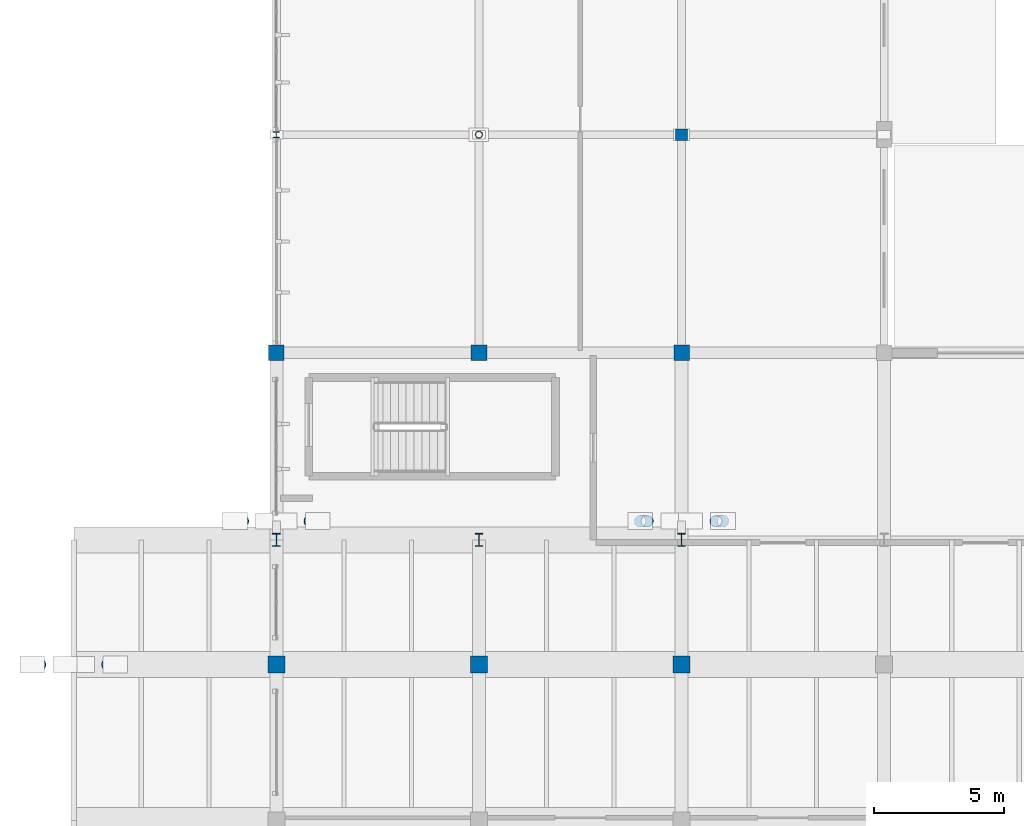
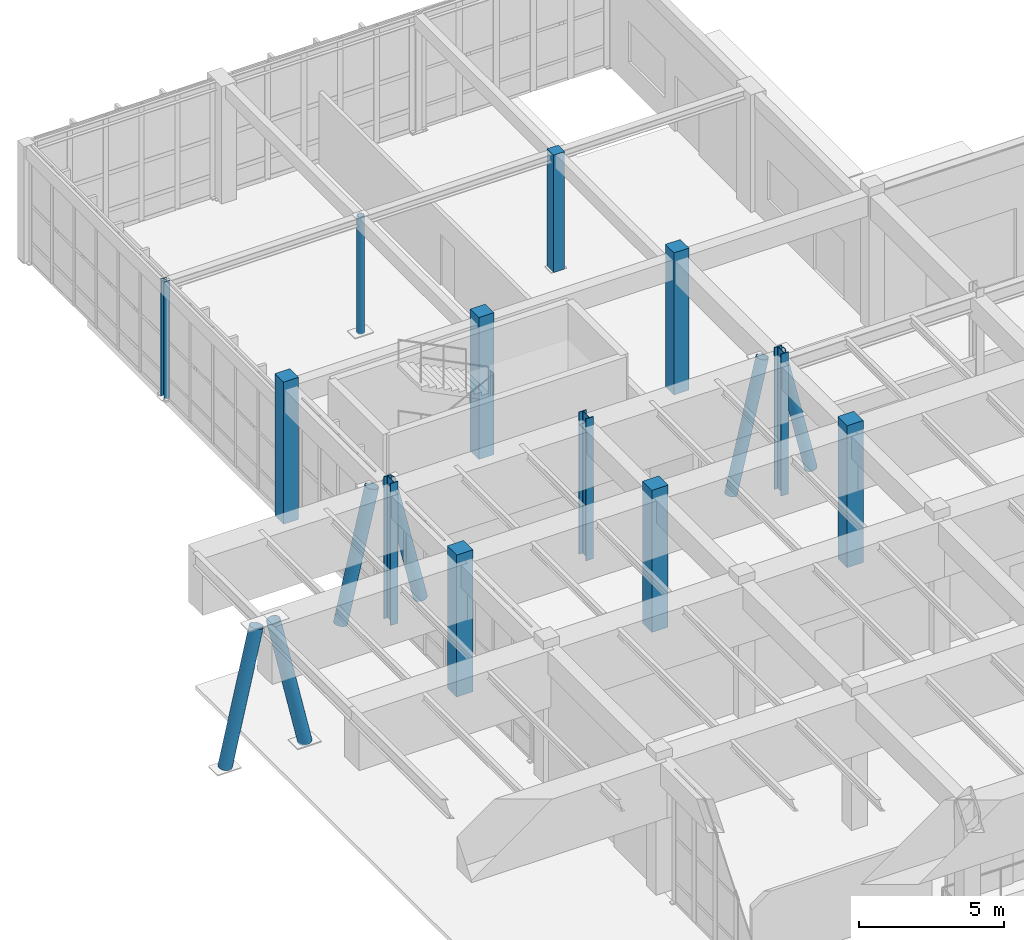
# One storey, part 8 of 110: 18 columns.
"""IFC4 building model written with IfcOpenShell, lengths in metres."""

from ifc_helpers import new_model, si_unit, direction, frame, origin, origin_2d, place, context, subcontext, project, spatial, rectangle, hollow_circle, i_section, extrude, material, material_profile, profile_set, type_object, element, save


model = new_model("IFC4")

# Units and contexts
model_context = context("Model", 3, precision=1e-05, world=origin(), true_north=direction((0.0, 1.0)))
body_context = subcontext(model_context, "Body", "Model", "MODEL_VIEW")
ifc_project = project(units=[si_unit("LENGTHUNIT", "METRE"), si_unit("AREAUNIT", "SQUARE_METRE"), si_unit("VOLUMEUNIT", "CUBIC_METRE"), si_unit("PLANEANGLEUNIT", "RADIAN"), si_unit("MASSUNIT", "GRAM", prefix="KILO")], contexts=[model_context])

# Site, building, storey
site_placement = place(None, origin())
site = spatial("IfcSite", under=ifc_project, at=site_placement, CompositionType="ELEMENT")
building_placement = place(site_placement, origin())
building = spatial("IfcBuilding", under=site, at=building_placement, Name="Tizgana Railside Sports Hall", CompositionType="ELEMENT")
storey_placement = place(building_placement, origin())
storey = spatial("IfcBuildingStorey", under=building, at=storey_placement, Name="L00", CompositionType="ELEMENT", Elevation=0.0)

# Columns
ifc_material_1 = material(Name="Concrete C35/45", Category="concrete")
ifc_material_profile_1 = material_profile(ifc_material_1, rectangle(XDim=0.449951171875, YDim=0.449951171875, at=origin_2d()), Name="RC 450x450")
ifc_profile_set_1 = profile_set([ifc_material_profile_1], Name="Concrete C35/45")
column_type_1 = type_object("IfcColumnType", Name="Concrete Column RC 450x450", PredefinedType="COLUMN", material=ifc_profile_set_1)
column_1_placement = place(storey_placement, frame((23.39990234375, 88.800048828125, 0.0), z_axis=(0.0, 0.0, 1.0), x_axis=(1.0, 0.0, 0.0)))
element("IfcColumn", 1, at=column_1_placement, inside=storey, type_object=column_type_1, Name="L00 COL-0881", PredefinedType="COLUMN", context=body_context, shape_type="SweptSolid", body=[
    extrude(rectangle(XDim=0.449951171875, YDim=0.449951171875, at=origin_2d()), origin(), (0.0, 0.0, 1.0), 4.9599609375),
])
ifc_material_2 = material(Name="Concrete C40/50", Category="concrete")
ifc_material_profile_2 = material_profile(ifc_material_2, rectangle(XDim=0.60009765625, YDim=0.60009765625, at=origin_2d()), Name="RC 600x600")
ifc_profile_set_2 = profile_set([ifc_material_profile_2], Name="Concrete C40/50")
column_type_2 = type_object("IfcColumnType", Name="Concrete Column RC 600x600", PredefinedType="COLUMN", material=ifc_profile_set_2)
for number, where, z_axis, x_axis, name in (
    (2, (7.800048828125, 80.39990234375, 0.0), (0.0, 0.0, 1.0), (1.0, 0.0, 0.0), "L00 COL-0026"),
    (3, (15.60009765625, 80.39990234375, 0.0), (0.0, 0.0, 1.0), (1.0, 0.0, 0.0), "L00 COL-0046"),
    (4, (23.39990234375, 80.39990234375, 0.0), (0.0, 0.0, 1.0), (1.0, 0.0, 0.0), "L00 COL-0074"),
):
    element("IfcColumn", number, at=place(storey_placement, frame(where, z_axis=z_axis, x_axis=x_axis)), inside=storey, type_object=column_type_2, Name=name, PredefinedType="COLUMN", context=body_context, shape_type="SweptSolid", body=[
        extrude(rectangle(XDim=0.60009765625, YDim=0.60009765625, at=origin_2d()), origin(), (0.0, 0.0, 1.0), 6.0),
    ])
ifc_material_profile_3 = material_profile(ifc_material_2, rectangle(XDim=0.64990234375, YDim=0.64990234375, at=origin_2d()), Name="RC 650x650")
ifc_profile_set_3 = profile_set([ifc_material_profile_3], Name="Concrete C40/50")
column_type_3 = type_object("IfcColumnType", Name="Concrete Column RC 650x650", PredefinedType="COLUMN", material=ifc_profile_set_3)
for number, where, z_axis, x_axis, name in (
    (5, (7.800048828125, 68.39990234375, 0.0), (0.0, 0.0, 1.0), (1.0, 0.0, 0.0), "L00 COL-0016"),
    (6, (15.60009765625, 68.39990234375, 0.0), (0.0, 0.0, 1.0), (1.0, 0.0, 0.0), "L00 COL-0040"),
    (7, (23.39990234375, 68.39990234375, 0.0), (0.0, 0.0, 1.0), (1.0, 0.0, 0.0), "L00 COL-0064"),
):
    element("IfcColumn", number, at=place(storey_placement, frame(where, z_axis=z_axis, x_axis=x_axis)), inside=storey, type_object=column_type_3, Name=name, PredefinedType="COLUMN", context=body_context, shape_type="SweptSolid", body=[
        extrude(rectangle(XDim=0.64990234375, YDim=0.64990234375, at=origin_2d()), origin(), (0.0, 0.0, 1.0), 6.0),
    ])
ifc_material_3 = material(Name="Steel S355J2", Category="steel")
ifc_material_profile_4 = material_profile(ifc_material_3, hollow_circle(Radius=0.136474609375, WallThickness=0.012451171875, at=origin_2d()), Name="CHS 273x12.5")
ifc_profile_set_4 = profile_set([ifc_material_profile_4], Name="Steel S355J2")
column_type_4 = type_object("IfcColumnType", Name="Steel Column CHS 273x12.5", PredefinedType="COLUMN", material=ifc_profile_set_4)
column_2_placement = place(storey_placement, frame((15.60009765625, 88.800048828125, 0.0), z_axis=(0.0, 0.0, 1.0), x_axis=(1.0, 0.0, 0.0)))
element("IfcColumn", 8, at=column_2_placement, inside=storey, type_object=column_type_4, Name="L00 COL-0877", PredefinedType="COLUMN", context=body_context, shape_type="SweptSolid", body=[
    extrude(hollow_circle(Radius=0.136474609375, WallThickness=0.012451171875, at=origin_2d()), origin(), (0.0, 0.0, 1.0), 4.9599609375),
])
ifc_material_profile_5 = material_profile(ifc_material_3, hollow_circle(Radius=0.228515625, WallThickness=0.02001953125, at=origin_2d()), Name="CHS 457x20")
ifc_profile_set_5 = profile_set([ifc_material_profile_5], Name="Steel S355J2")
column_type_5 = type_object("IfcColumnType", Name="Steel Column CHS 457x20", PredefinedType="COLUMN", material=ifc_profile_set_5)
for number, where, z_axis, x_axis, name in (
    (9, (21.804931640625, 73.919921875, 0.030029296875), (0.228407815683, 0.0, 0.973565544653), (0.0, 1.0, 0.0), "L00 V-Column COL-0067"),
    (10, (24.9951171875, 73.919921875, 0.030029296875), (-0.228407815683, 0.0, 0.973565544653), (0.0, -1.0, 0.0), "L00 V-Column COL-0069"),
):
    element("IfcColumn", number, at=place(storey_placement, frame(where, z_axis=z_axis, x_axis=x_axis)), inside=storey, type_object=column_type_5, Name=name, PredefinedType="COLUMN", context=body_context, shape_type="SweptSolid", body=[
        extrude(hollow_circle(Radius=0.228515625, WallThickness=0.02001953125, at=origin_2d()), origin(), (0.0, 0.0, 1.0), 5.4951171875),
    ])
ifc_material_profile_6 = material_profile(ifc_material_3, hollow_circle(Radius=0.25390625, WallThickness=0.02001953125, at=origin_2d()), Name="CHS 508x20")
ifc_profile_set_6 = profile_set([ifc_material_profile_6], Name="Steel S355J2")
column_type_6 = type_object("IfcColumnType", Name="Steel Column CHS 508x20", PredefinedType="COLUMN", material=ifc_profile_set_6)
for number, where, z_axis, x_axis, name in (
    (11, (6.205078125, 73.919921875, 0.030029296875), (0.228365704217, 0.0, 0.973575423446), (0.0, 1.0, 0.0), "L00 V-Column COL-0019"),
    (12, (9.39501953125, 73.919921875, 0.030029296875), (-0.228407815683, 0.0, 0.973565544653), (0.0, -1.0, 0.0), "L00 V-Column COL-0021"),
):
    element("IfcColumn", number, at=place(storey_placement, frame(where, z_axis=z_axis, x_axis=x_axis)), inside=storey, type_object=column_type_6, Name=name, PredefinedType="COLUMN", context=body_context, shape_type="SweptSolid", body=[
        extrude(hollow_circle(Radius=0.25390625, WallThickness=0.02001953125, at=origin_2d()), origin(), (0.0, 0.0, 1.0), 5.4951171875),
    ])
for number, where, z_axis, x_axis, name in (
    (13, (-1.594970703125, 68.39990234375, 0.030029296875), (0.221109765347, 0.0, 0.975248928053), (0.0, 1.0, 0.0), "L00 West Overhang V-Column COL-0180"),
    (14, (1.594970703125, 68.39990234375, 0.030029296875), (-0.221109765347, 0.0, 0.975248928053), (0.0, -1.0, 0.0), "L00 West Overhang V-Column COL-0182"),
):
    element("IfcColumn", number, at=place(storey_placement, frame(where, z_axis=z_axis, x_axis=x_axis)), inside=storey, type_object=column_type_6, Name=name, PredefinedType="COLUMN", context=body_context, shape_type="SweptSolid", body=[
        extrude(hollow_circle(Radius=0.25390625, WallThickness=0.02001953125, at=origin_2d()), origin(), (0.0, 0.0, 1.0), 5.67529296875),
    ])
ifc_material_profile_7 = material_profile(ifc_material_3, i_section(OverallWidth=0.239990234375, OverallDepth=0.239990234375, WebThickness=0.010009765625, FlangeThickness=0.01708984375, FilletRadius=0.02099609375, at=origin_2d()), Name="HEB 240")
ifc_profile_set_7 = profile_set([ifc_material_profile_7], Name="Steel S355J2")
column_type_7 = type_object("IfcColumnType", Name="Steel Column HEB 240", PredefinedType="COLUMN", material=ifc_profile_set_7)
column_3_placement = place(storey_placement, frame((7.800048828125, 88.800048828125, 0.0), z_axis=(0.0, 0.0, 1.0), x_axis=(1.0, 0.0, 0.0)))
element("IfcColumn", 15, at=column_3_placement, inside=storey, type_object=column_type_7, Name="L00 COL-0873", PredefinedType="COLUMN", context=body_context, shape_type="SweptSolid", body=[
    extrude(i_section(OverallWidth=0.239990234375, OverallDepth=0.239990234375, WebThickness=0.010009765625, FlangeThickness=0.01708984375, FilletRadius=0.02099609375, at=origin_2d()), origin(), (0.0, 0.0, 1.0), 4.9599609375),
])
ifc_material_profile_8 = material_profile(ifc_material_3, i_section(OverallWidth=0.300048828125, OverallDepth=0.5, WebThickness=0.014404296875, FlangeThickness=0.028076171875, FilletRadius=0.027099609375, at=origin_2d()), Name="HEB 500")
ifc_profile_set_8 = profile_set([ifc_material_profile_8], Name="Steel S355J2")
column_type_8 = type_object("IfcColumnType", Name="Steel Column HEB 500", PredefinedType="COLUMN", material=ifc_profile_set_8)
for number, where, z_axis, x_axis, name in (
    (16, (7.800048828125, 73.199951171875, 0.0), (0.0, 0.0, 1.0), (1.0, 0.0, 0.0), "L00 COL-0018"),
    (17, (15.60009765625, 73.199951171875, 0.0), (0.0, 0.0, 1.0), (1.0, 0.0, 0.0), "L00 COL-0042"),
    (18, (23.39990234375, 73.199951171875, 0.0), (0.0, 0.0, 1.0), (1.0, 0.0, 0.0), "L00 COL-0066"),
):
    element("IfcColumn", number, at=place(storey_placement, frame(where, z_axis=z_axis, x_axis=x_axis)), inside=storey, type_object=column_type_8, Name=name, PredefinedType="COLUMN", context=body_context, shape_type="SweptSolid", body=[
        extrude(i_section(OverallWidth=0.300048828125, OverallDepth=0.5, WebThickness=0.014404296875, FlangeThickness=0.028076171875, FilletRadius=0.027099609375, at=origin_2d()), origin(), (0.0, 0.0, 1.0), 6.0),
    ])

save(model, "model.ifc")
